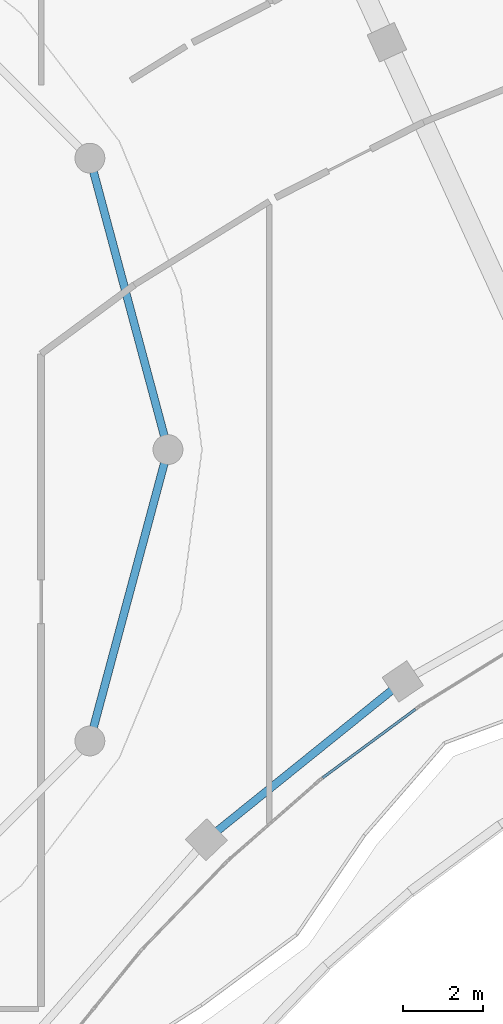
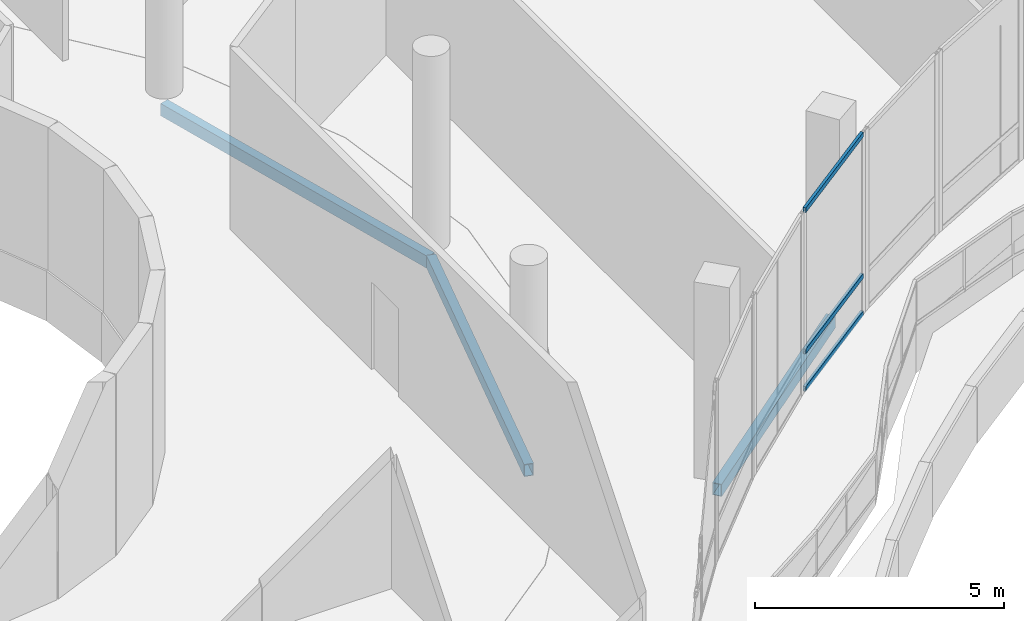
# One storey, part 63 of 168: 3 beams, 3 members, 1 element without a shape of its own.
"""IFC4 building model written with IfcOpenShell, lengths in metres."""

from ifc_helpers import new_model, si_unit, direction, frame, origin, origin_2d, place, context, subcontext, project, spatial, hollow_rectangle, extrude, material, material_profile, profile_set, type_object, element, aggregate, save


model = new_model("IFC4")

# Units and contexts
model_context = context("Model", 3, precision=1e-05, world=origin(), true_north=direction((0.0, 1.0)))
body_context = subcontext(model_context, "Body", "Model", "MODEL_VIEW")
ifc_project = project(units=[si_unit("LENGTHUNIT", "METRE"), si_unit("AREAUNIT", "SQUARE_METRE"), si_unit("VOLUMEUNIT", "CUBIC_METRE"), si_unit("PLANEANGLEUNIT", "RADIAN"), si_unit("MASSUNIT", "GRAM", prefix="KILO")], contexts=[model_context])

# Site, building, storey
site_placement = place(None, origin())
site = spatial("IfcSite", under=ifc_project, at=site_placement, CompositionType="ELEMENT")
building_placement = place(site_placement, origin())
building = spatial("IfcBuilding", under=site, at=building_placement, Name="Selatvlak General Hospital", CompositionType="ELEMENT")
storey_placement = place(building_placement, frame((0.0, 0.0, 5.39990234375)))
storey = spatial("IfcBuildingStorey", under=building, at=storey_placement, Name="L01", CompositionType="ELEMENT", Elevation=5.39990234375)

# Beams
ifc_material_1 = material(Name="Steel S355", Category="steel")
ifc_material_profile_1 = material_profile(ifc_material_1, hollow_rectangle(XDim=0.199951171875, YDim=0.300048828125, WallThickness=0.011962890625, at=origin_2d()), Name="RHS 300x200x12")
ifc_profile_set_1 = profile_set([ifc_material_profile_1], Name="Steel S355")
beam_type = type_object("IfcBeamType", Name="BM-SP3", PredefinedType="SPANDREL", material=ifc_profile_set_1)
for number, where, z_axis, x_axis, name in (
    (1, (110.68701171875, 46.675048828125, -0.469970703125), (0.25884068345, 0.965920028052, 0.0), (-0.965920028052, 0.25884068345, 0.0), "Beam BMR-L01-0710"),
    (2, (112.64990234375, 54.0, -0.469970703125), (-0.25884068345, 0.965920028052, 0.0), (-0.965920028052, -0.25884068345, 0.0), "Beam BMR-L01-0711"),
):
    element("IfcBeam", number, at=place(storey_placement, frame(where, z_axis=z_axis, x_axis=x_axis)), inside=storey, type_object=beam_type, Name=name, PredefinedType="SPANDREL", context=body_context, shape_type="SweptSolid", body=[
        extrude(hollow_rectangle(XDim=0.199951171875, YDim=0.300048828125, WallThickness=0.011962890625, at=origin_2d()), origin(), (0.0, 0.0, 1.0), 7.58349609375),
    ])
beam_placement = place(storey_placement, frame((113.614990234375, 44.19189453125, -0.469970703125), z_axis=(0.778568955278, 0.627559066444, 0.0), x_axis=(-0.627559066444, 0.778568955278, 0.0)))
element("IfcBeam", 3, at=beam_placement, inside=storey, type_object=beam_type, Name="Beam BMR-L01-0760", PredefinedType="SPANDREL", context=body_context, shape_type="SweptSolid", body=[
    extrude(hollow_rectangle(XDim=0.199951171875, YDim=0.300048828125, WallThickness=0.011962890625, at=origin_2d()), origin(), (0.0, 0.0, 1.0), 6.34228515625),
])

# Curtain wall, members
ifc_material_2 = material(Name="Solar-control Low-E double glazing", Category="glass")
curtain_wall_type = type_object("IfcCurtainWallType", Name="CW-CW-02", PredefinedType="USERDEFINED", material=ifc_material_2)
curtain_wall_placement = place(storey_placement, origin())
curtain_wall = element("IfcCurtainWall", 4, at=curtain_wall_placement, inside=storey, type_object=curtain_wall_type, Name="Glazed facade curtain wall CW-L01-0160", ObjectType="UNITISED CURTAIN WALL", PredefinedType="USERDEFINED")
ifc_material_3 = material(Name="Dark anodised aluminium mullion", Category="aluminium")
ifc_material_profile_2 = material_profile(ifc_material_3, hollow_rectangle(XDim=0.06494140625, YDim=0.1201171875, WallThickness=0.00390625, at=origin_2d()), Name="AL-TRN 65x120x4")
ifc_profile_set_2 = profile_set([ifc_material_profile_2], Name="Dark anodised aluminium mullion")
member_type = type_object("IfcMemberType", Name="CWT-01", PredefinedType="USERDEFINED", material=ifc_profile_set_2)
member_1_placement = place(storey_placement, frame((118.871826171875, 47.474365234375, 0.03271484375), z_axis=(-0.80399954052, -0.594629917549, 0.0), x_axis=(0.594629917549, -0.80399954052, 0.0)))
member_1 = element("IfcMember", 5, at=member_1_placement, type_object=member_type, Name="CW-02 transom 1.1", ObjectType="TRANSOM", PredefinedType="USERDEFINED", context=body_context, shape_type="SweptSolid", body=[
    extrude(hollow_rectangle(XDim=0.06494140625, YDim=0.1201171875, WallThickness=0.00390625, at=origin_2d()), origin(), (0.0, 0.0, 1.0), 2.90234375),
])
member_2_placement = place(storey_placement, frame((118.871826171875, 47.474365234375, 0.9501953125), z_axis=(-0.80399954052, -0.594629917549, 0.0), x_axis=(0.594629917549, -0.80399954052, 0.0)))
member_2 = element("IfcMember", 6, at=member_2_placement, type_object=member_type, Name="CW-02 transom 1.2", ObjectType="TRANSOM", PredefinedType="USERDEFINED", context=body_context, shape_type="SweptSolid", body=[
    extrude(hollow_rectangle(XDim=0.06494140625, YDim=0.1201171875, WallThickness=0.00390625, at=origin_2d()), origin(), (0.0, 0.0, 1.0), 2.90234375),
])
member_3_placement = place(storey_placement, frame((118.871826171875, 47.474365234375, 4.41259765625), z_axis=(-0.80399954052, -0.594629917549, 0.0), x_axis=(0.594629917549, -0.80399954052, 0.0)))
member_3 = element("IfcMember", 7, at=member_3_placement, type_object=member_type, Name="CW-02 transom 1.3", ObjectType="TRANSOM", PredefinedType="USERDEFINED", context=body_context, shape_type="SweptSolid", body=[
    extrude(hollow_rectangle(XDim=0.06494140625, YDim=0.1201171875, WallThickness=0.00390625, at=origin_2d()), origin(), (0.0, 0.0, 1.0), 2.90234375),
])
aggregate(curtain_wall, [member_1, member_2, member_3])

save(model, "model.ifc")
